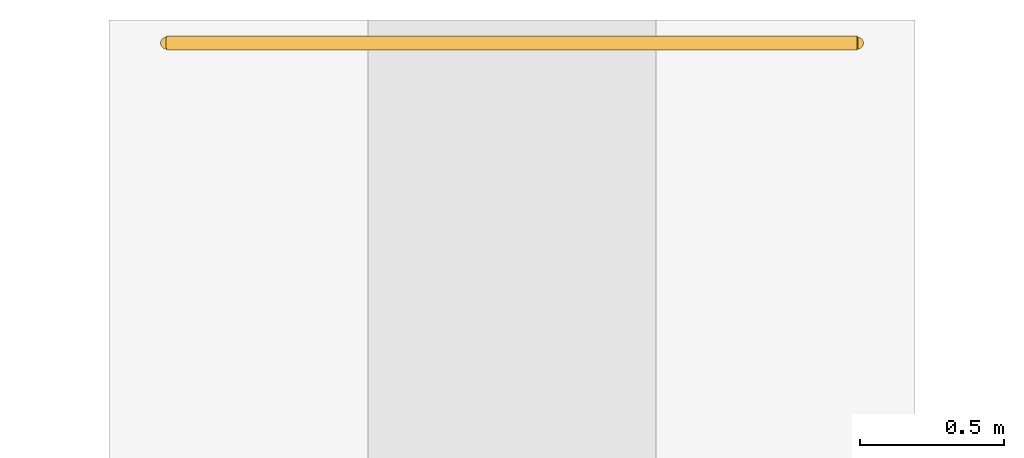
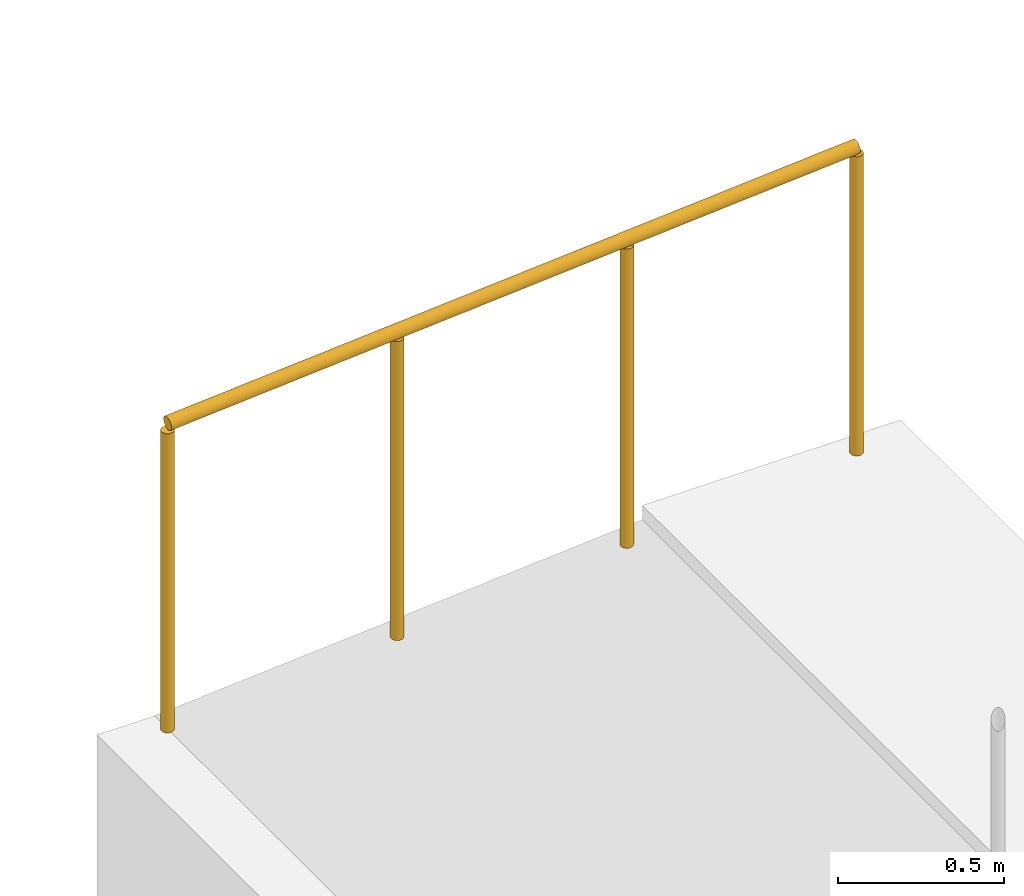
# One storey, part 159 of 160: 1 railing.
"""IFC4 building model written with IfcOpenShell, lengths in metres."""

from ifc_helpers import new_model, si_unit, direction, frame, origin, origin_2d, place, context, subcontext, project, spatial, circle, extrude, material, type_object, element, save


model = new_model("IFC4")

# Units and contexts
model_context = context("Model", 3, precision=1e-05, world=origin(), true_north=direction((0.0, 1.0)))
body_context = subcontext(model_context, "Body", "Model", "MODEL_VIEW")
ifc_project = project(units=[si_unit("LENGTHUNIT", "METRE"), si_unit("AREAUNIT", "SQUARE_METRE"), si_unit("VOLUMEUNIT", "CUBIC_METRE"), si_unit("PLANEANGLEUNIT", "RADIAN"), si_unit("MASSUNIT", "GRAM", prefix="KILO")], contexts=[model_context])

# Site, building, storey
site_placement = place(None, origin())
site = spatial("IfcSite", under=ifc_project, at=site_placement, CompositionType="ELEMENT")
building_placement = place(site_placement, origin())
building = spatial("IfcBuilding", under=site, at=building_placement, Name="Thalmaran Polytechnic", CompositionType="ELEMENT")
storey_placement = place(building_placement, origin())
storey = spatial("IfcBuildingStorey", under=building, at=storey_placement, Name="L00", CompositionType="ELEMENT", Elevation=0.0)

# Railing
ifc_material = material(Name="Stainless steel 316", Category="steel")
railing_type = type_object("IfcRailingType", Name="RL-GR01", PredefinedType="GUARDRAIL", material=ifc_material)
railing_placement = place(storey_placement, frame((46.0, 125.919921875, -0.179931640625)))
element("IfcRailing", 1, at=railing_placement, inside=storey, type_object=railing_type, Name="Ramp Guardrail PED5-B", PredefinedType="GUARDRAIL", context=body_context, shape_type="SweptSolid", body=[
    extrude(circle(Radius=0.02392578125, at=origin_2d()), frame((0.0, 0.0, 1.1259765625), z_axis=(0.997201201018, 0.0, 0.074764728906), x_axis=(0.0, 1.0, 0.0)), (0.0, 0.0, 1.0), 2.40673828125),
    extrude(circle(Radius=0.02099609375, at=origin_2d()), origin(), (0.0, 0.0, 1.0), 1.101806640625),
    extrude(circle(Radius=0.02099609375, at=origin_2d()), frame((0.800048828125, 0.0, 0.06005859375)), (0.0, 0.0, 1.0), 1.101806640625),
    extrude(circle(Radius=0.02099609375, at=origin_2d()), frame((1.599853515625, 0.0, 0.119873046875)), (0.0, 0.0, 1.0), 1.101806640625),
    extrude(circle(Radius=0.02099609375, at=origin_2d()), frame((2.39990234375, 0.0, 0.179931640625)), (0.0, 0.0, 1.0), 1.101806640625),
])

save(model, "model.ifc")
